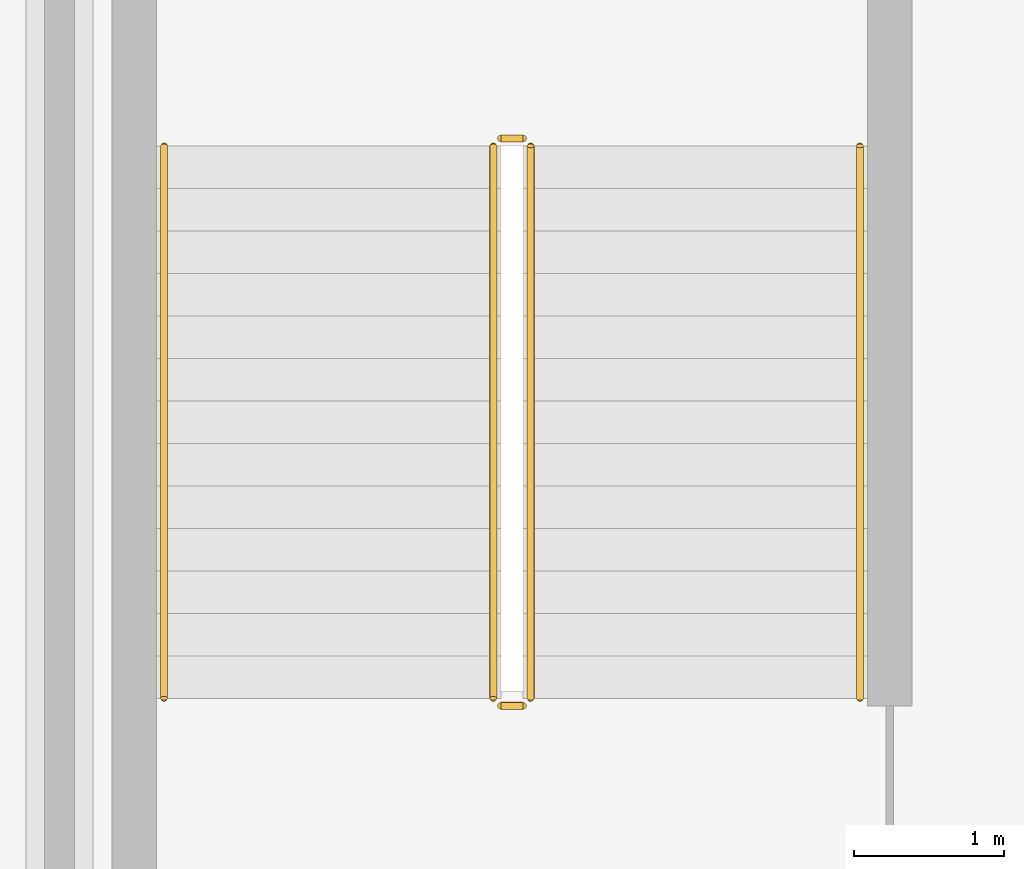
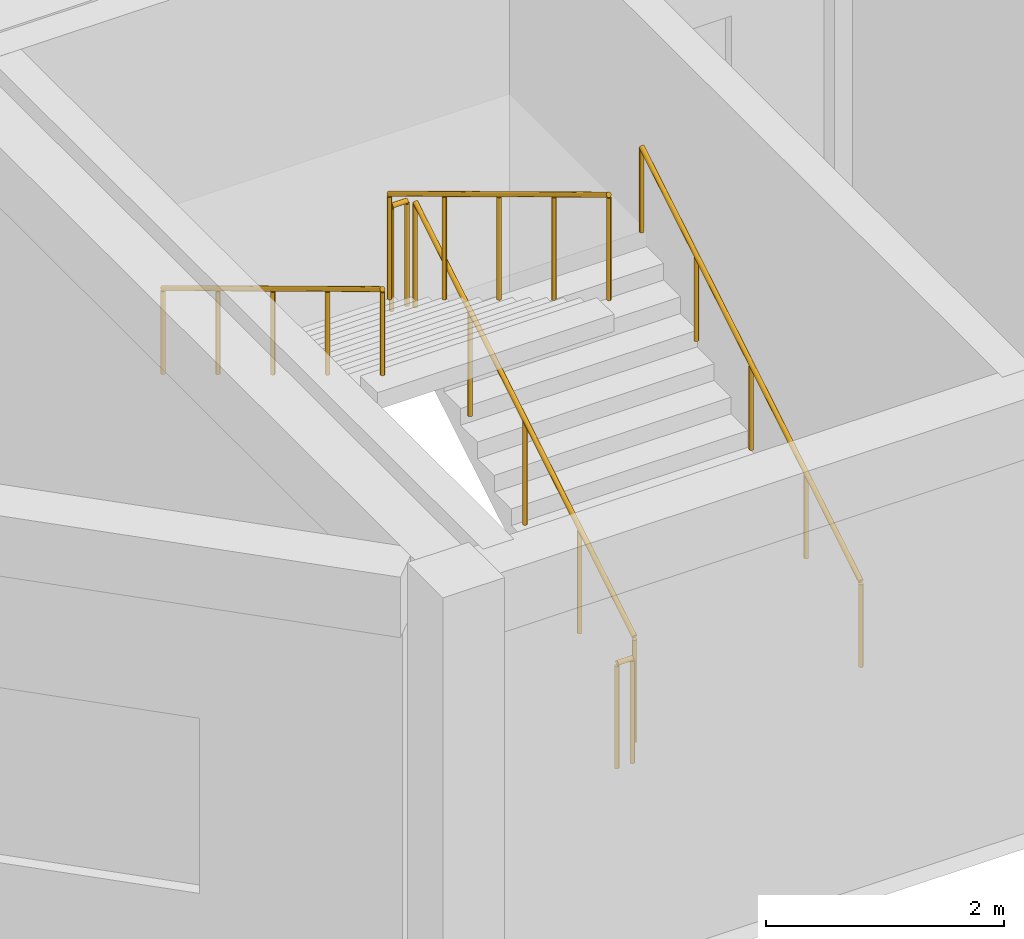
# One storey, part 23 of 27: 6 railings.
"""IFC4 building model written with IfcOpenShell, lengths in metres."""

from ifc_helpers import new_model, si_unit, direction, frame, origin, origin_2d, place, context, subcontext, project, spatial, circle, extrude, material, type_object, element, save


model = new_model("IFC4")

# Units and contexts
model_context = context("Model", 3, precision=1e-05, world=origin(), true_north=direction((0.0, 1.0)))
body_context = subcontext(model_context, "Body", "Model", "MODEL_VIEW")
ifc_project = project(units=[si_unit("LENGTHUNIT", "METRE"), si_unit("AREAUNIT", "SQUARE_METRE"), si_unit("VOLUMEUNIT", "CUBIC_METRE"), si_unit("PLANEANGLEUNIT", "RADIAN"), si_unit("MASSUNIT", "GRAM", prefix="KILO")], contexts=[model_context])

# Site, building, storey
site_placement = place(None, origin())
site = spatial("IfcSite", under=ifc_project, at=site_placement, CompositionType="ELEMENT")
building_placement = place(site_placement, origin())
building = spatial("IfcBuilding", under=site, at=building_placement, Name="Dhurran Vertical Campus", CompositionType="ELEMENT")
storey_placement = place(building_placement, frame((0.0, 0.0, 10.800048828125)))
storey = spatial("IfcBuildingStorey", under=building, at=storey_placement, Name="L02", CompositionType="ELEMENT", Elevation=10.800048828125)

# Railings
ifc_material_1 = material(Name="Steel S355J2H", Category="steel")
railing_type_1 = type_object("IfcRailingType", Name="hl-stair guard 1100", PredefinedType="GUARDRAIL", material=ifc_material_1)
railing_1_placement = place(storey_placement, frame((73.64990234375, -24.550048828125, 0.17138671875)))
element("IfcRailing", 1, at=railing_1_placement, inside=storey, type_object=railing_type_1, Name="L02 HST1 stair guard 1", PredefinedType="GUARDRAIL", context=body_context, shape_type="SweptSolid", body=[
    extrude(circle(Radius=0.02392578125, at=origin_2d()), frame((0.0, 0.0, 1.076171875), z_axis=(0.0, 0.85613627591, 0.516750110858), x_axis=(-1.0, 0.0, 0.0)), (0.0, 0.0, 1.0), 4.3125),
    extrude(circle(Radius=0.02099609375, at=origin_2d()), origin(), (0.0, 0.0, 1.0), 1.052001953125),
    extrude(circle(Radius=0.02099609375, at=origin_2d()), frame((0.0, 0.923095703125, 0.55712890625)), (0.0, 0.0, 1.0), 1.052001953125),
    extrude(circle(Radius=0.02099609375, at=origin_2d()), frame((0.0, 1.84619140625, 1.1142578125)), (0.0, 0.0, 1.0), 1.052001953125),
    extrude(circle(Radius=0.02099609375, at=origin_2d()), frame((0.0, 2.76904296875, 1.67138671875)), (0.0, 0.0, 1.0), 1.052001953125),
    extrude(circle(Radius=0.02099609375, at=origin_2d()), frame((0.0, 3.692138671875, 2.228515625)), (0.0, 0.0, 1.0), 1.052001953125),
])
railing_2_placement = place(storey_placement, frame((73.60009765625, -20.80810546875, 2.39990234375)))
element("IfcRailing", 2, at=railing_2_placement, inside=storey, type_object=railing_type_1, Name="L02 HST1 stair guard 2", PredefinedType="GUARDRAIL", context=body_context, shape_type="SweptSolid", body=[
    extrude(circle(Radius=0.02392578125, at=origin_2d()), frame((0.0, 0.0, 1.076171875), z_axis=(-1.0, 0.0, 0.0), x_axis=(0.0, -1.0, 0.0)), (0.0, 0.0, 1.0), 0.150146484375),
    extrude(circle(Radius=0.02099609375, at=origin_2d()), origin(), (0.0, 0.0, 1.0), 1.052001953125),
    extrude(circle(Radius=0.02099609375, at=origin_2d()), frame((-0.150146484375, 0.0, 0.0)), (0.0, 0.0, 1.0), 1.052001953125),
])
railing_3_placement = place(storey_placement, frame((73.39990234375, -20.85791015625, 2.5712890625)))
element("IfcRailing", 3, at=railing_3_placement, inside=storey, type_object=railing_type_1, Name="L02 HST1 stair guard 3", PredefinedType="GUARDRAIL", context=body_context, shape_type="SweptSolid", body=[
    extrude(circle(Radius=0.02392578125, at=origin_2d()), frame((0.0, 0.0, 1.076171875), z_axis=(0.0, -0.856111230211, 0.516791603557), x_axis=(1.0, 0.0, 0.0)), (0.0, 0.0, 1.0), 4.312744140625),
    extrude(circle(Radius=0.02099609375, at=origin_2d()), origin(), (0.0, 0.0, 1.0), 1.052001953125),
    extrude(circle(Radius=0.02099609375, at=origin_2d()), frame((0.0, -0.923095703125, 0.55712890625)), (0.0, 0.0, 1.0), 1.052001953125),
    extrude(circle(Radius=0.02099609375, at=origin_2d()), frame((0.0, -1.84619140625, 1.1142578125)), (0.0, 0.0, 1.0), 1.052001953125),
    extrude(circle(Radius=0.02099609375, at=origin_2d()), frame((0.0, -2.76904296875, 1.671630859375)), (0.0, 0.0, 1.0), 1.052001953125),
    extrude(circle(Radius=0.02099609375, at=origin_2d()), frame((0.0, -3.692138671875, 2.228759765625)), (0.0, 0.0, 1.0), 1.052001953125),
])
railing_4_placement = place(storey_placement, frame((73.60009765625, -24.60009765625, 0.0)))
element("IfcRailing", 4, at=railing_4_placement, inside=storey, type_object=railing_type_1, Name="L02 HST1 stair guard 4", PredefinedType="GUARDRAIL", context=body_context, shape_type="SweptSolid", body=[
    extrude(circle(Radius=0.02392578125, at=origin_2d()), frame((0.0, 0.0, 1.076171875), z_axis=(-1.0, 0.0, 0.0), x_axis=(0.0, -1.0, 0.0)), (0.0, 0.0, 1.0), 0.150146484375),
    extrude(circle(Radius=0.02099609375, at=origin_2d()), origin(), (0.0, 0.0, 1.0), 1.052001953125),
    extrude(circle(Radius=0.02099609375, at=origin_2d()), frame((-0.150146484375, 0.0, 0.0)), (0.0, 0.0, 1.0), 1.052001953125),
])
ifc_material_2 = material(Name="Steel S355J2H", Category="steel")
railing_type_2 = type_object("IfcRailingType", Name="hl-stair handrail", PredefinedType="HANDRAIL", material=ifc_material_2)
railing_5_placement = place(storey_placement, frame((75.85009765625, -24.550048828125, 0.17138671875)))
element("IfcRailing", 5, at=railing_5_placement, inside=storey, type_object=railing_type_2, Name="L02 HST1 stair handrail 1", PredefinedType="HANDRAIL", context=body_context, shape_type="SweptSolid", body=[
    extrude(circle(Radius=0.02392578125, at=origin_2d()), frame((0.0, 0.0, 0.8759765625), z_axis=(0.0, 0.85613627591, 0.516750110858), x_axis=(-1.0, 0.0, 0.0)), (0.0, 0.0, 1.0), 4.3125),
    extrude(circle(Radius=0.02099609375, at=origin_2d()), origin(), (0.0, 0.0, 1.0), 0.851806640625),
    extrude(circle(Radius=0.02099609375, at=origin_2d()), frame((0.0, 0.923095703125, 0.55712890625)), (0.0, 0.0, 1.0), 0.851806640625),
    extrude(circle(Radius=0.02099609375, at=origin_2d()), frame((0.0, 1.84619140625, 1.1142578125)), (0.0, 0.0, 1.0), 0.851806640625),
    extrude(circle(Radius=0.02099609375, at=origin_2d()), frame((0.0, 2.76904296875, 1.67138671875)), (0.0, 0.0, 1.0), 0.851806640625),
    extrude(circle(Radius=0.02099609375, at=origin_2d()), frame((0.0, 3.692138671875, 2.228515625)), (0.0, 0.0, 1.0), 0.851806640625),
])
railing_6_placement = place(storey_placement, frame((71.199951171875, -20.85791015625, 2.5712890625)))
element("IfcRailing", 6, at=railing_6_placement, inside=storey, type_object=railing_type_2, Name="L02 HST1 stair handrail 2", PredefinedType="HANDRAIL", context=body_context, shape_type="SweptSolid", body=[
    extrude(circle(Radius=0.02392578125, at=origin_2d()), frame((0.0, 0.0, 0.8759765625), z_axis=(0.0, -0.856111230211, 0.516791603557), x_axis=(1.0, 0.0, 0.0)), (0.0, 0.0, 1.0), 4.312744140625),
    extrude(circle(Radius=0.02099609375, at=origin_2d()), origin(), (0.0, 0.0, 1.0), 0.851806640625),
    extrude(circle(Radius=0.02099609375, at=origin_2d()), frame((0.0, -0.923095703125, 0.55712890625)), (0.0, 0.0, 1.0), 0.851806640625),
    extrude(circle(Radius=0.02099609375, at=origin_2d()), frame((0.0, -1.84619140625, 1.1142578125)), (0.0, 0.0, 1.0), 0.851806640625),
    extrude(circle(Radius=0.02099609375, at=origin_2d()), frame((0.0, -2.76904296875, 1.671630859375)), (0.0, 0.0, 1.0), 0.851806640625),
    extrude(circle(Radius=0.02099609375, at=origin_2d()), frame((0.0, -3.692138671875, 2.228759765625)), (0.0, 0.0, 1.0), 0.851806640625),
])

save(model, "model.ifc")
